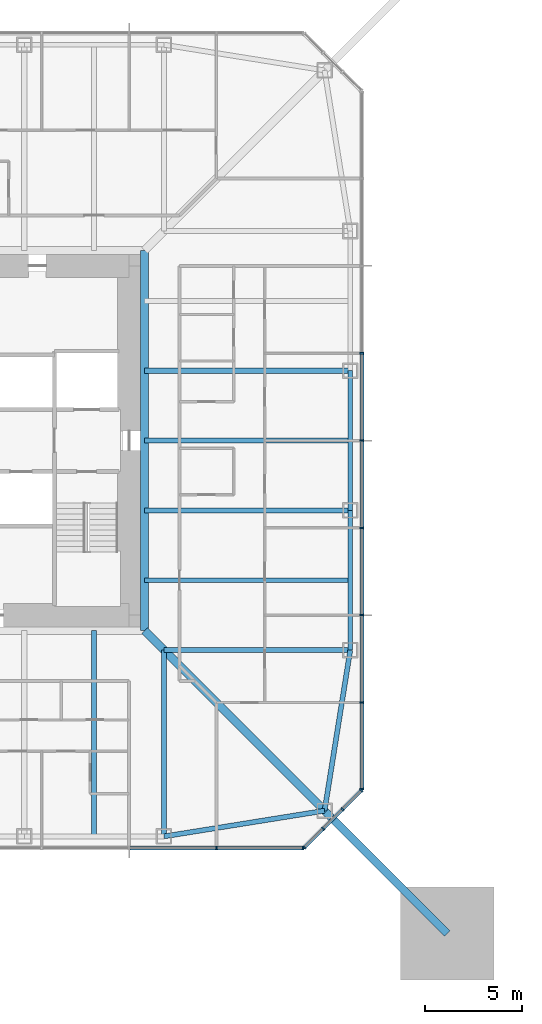
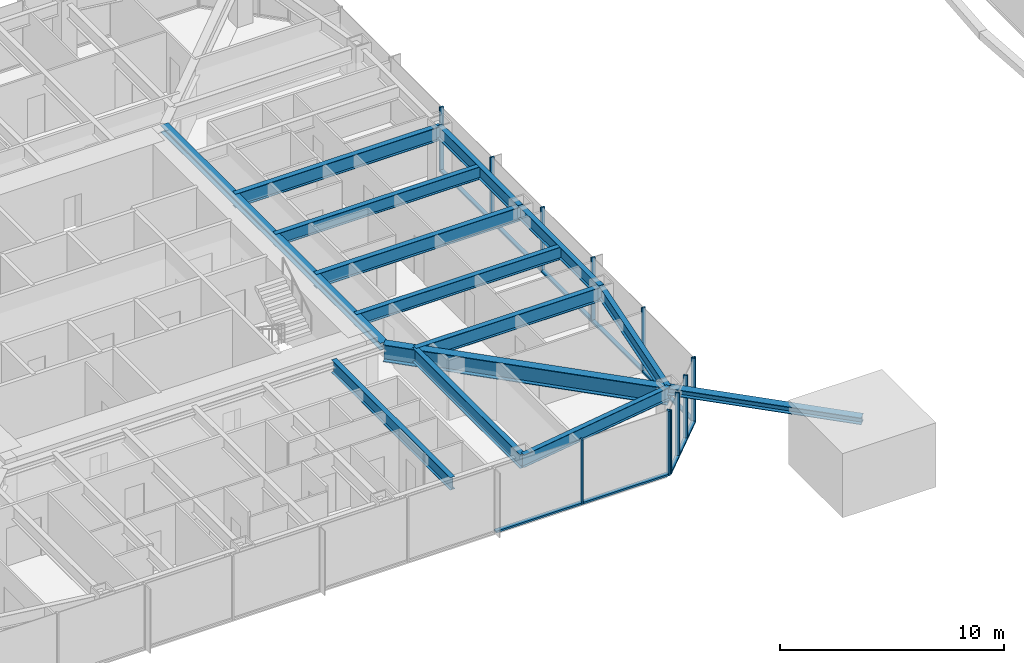
# One storey, part 5 of 25: 23 members, 13 beams, 3 elements without a shape of their own.
"""IFC4 building model written with IfcOpenShell, lengths in metres."""

from ifc_helpers import new_model, si_unit, direction, frame, origin, origin_2d, place, context, subcontext, project, spatial, rectangle, i_section, extrude, material, material_profile, profile_set, type_object, element, aggregate, save


model = new_model("IFC4")

# Units and contexts
model_context = context("Model", 3, precision=1e-05, world=origin(), true_north=direction((0.0, 1.0)))
body_context = subcontext(model_context, "Body", "Model", "MODEL_VIEW")
ifc_project = project(units=[si_unit("LENGTHUNIT", "METRE"), si_unit("AREAUNIT", "SQUARE_METRE"), si_unit("VOLUMEUNIT", "CUBIC_METRE"), si_unit("PLANEANGLEUNIT", "RADIAN"), si_unit("MASSUNIT", "GRAM", prefix="KILO")], contexts=[model_context])

# Site, building, storey
site_placement = place(None, origin())
site = spatial("IfcSite", under=ifc_project, at=site_placement, CompositionType="ELEMENT")
building_placement = place(site_placement, origin())
building = spatial("IfcBuilding", under=site, at=building_placement, Name="Iwan Alto Co-Living Towers", CompositionType="ELEMENT")
storey_placement = place(building_placement, frame((0.0, 0.0, 87.5)))
storey = spatial("IfcBuildingStorey", under=building, at=storey_placement, Name="L23", CompositionType="ELEMENT", Elevation=87.5)

# Curtain wall, members
ifc_material_1 = material(Name="Bronze aluminium unitised frame", Category="aluminium")
curtain_wall_type_1 = type_object("IfcCurtainWallType", Name="CURTAIN WALL CW-A", PredefinedType="NOTDEFINED", material=ifc_material_1)
curtain_wall_1_placement = place(storey_placement, origin())
curtain_wall_1 = element("IfcCurtainWall", 1, at=curtain_wall_1_placement, inside=storey, type_object=curtain_wall_type_1, Name="T1 curtain wall S L23", PredefinedType="NOTDEFINED")
ifc_material_2 = material(Name="Aluminium 6063-T6 bronze anodised", Category="aluminium")
ifc_material_profile_1 = material_profile(ifc_material_2, rectangle(XDim=0.199951171875, YDim=0.080078125, at=origin_2d()), Name="AL 80X200")
ifc_profile_set_1 = profile_set([ifc_material_profile_1], Name="Aluminium 6063-T6 bronze anodised")
member_type_1 = type_object("IfcMemberType", Name="CW-A MULLION 80X200", PredefinedType="MULLION", material=ifc_profile_set_1)
member_1_placement = place(storey_placement, frame((13.5, -21.0, 0.0), z_axis=(0.0, 0.0, 1.0), x_axis=(0.0, 1.0, 0.0)))
member_1 = element("IfcMember", 2, at=member_1_placement, type_object=member_type_1, Name="CW-A mullion 8", PredefinedType="MULLION", context=body_context, shape_type="SweptSolid", body=[
    extrude(rectangle(XDim=0.199951171875, YDim=0.080078125, at=origin_2d()), origin(), (0.0, 0.0, 1.0), 3.5),
])
member_2_placement = place(storey_placement, frame((17.9599609375, -21.0, 0.0), z_axis=(0.0, 0.0, 1.0), x_axis=(0.0, 1.0, 0.0)))
member_2 = element("IfcMember", 3, at=member_2_placement, type_object=member_type_1, Name="CW-A mullion 9", PredefinedType="MULLION", context=body_context, shape_type="SweptSolid", body=[
    extrude(rectangle(XDim=0.199951171875, YDim=0.080078125, at=origin_2d()), origin(), (0.0, 0.0, 1.0), 3.5),
])

curtain_wall_2_placement = place(storey_placement, origin())
curtain_wall_2 = element("IfcCurtainWall", 4, at=curtain_wall_2_placement, inside=storey, type_object=curtain_wall_type_1, Name="T1 curtain wall E L23", PredefinedType="NOTDEFINED")
member_3_placement = place(storey_placement, frame((21.0, -17.9599609375, 0.0), z_axis=(0.0, 0.0, 1.0), x_axis=(-1.0, 0.0, 0.0)))
member_3 = element("IfcMember", 5, at=member_3_placement, type_object=member_type_1, Name="CW-A mullion 1", PredefinedType="MULLION", context=body_context, shape_type="SweptSolid", body=[
    extrude(rectangle(XDim=0.199951171875, YDim=0.080078125, at=origin_2d()), origin(), (0.0, 0.0, 1.0), 3.5),
])
member_4_placement = place(storey_placement, frame((21.0, -13.5, 0.0), z_axis=(0.0, 0.0, 1.0), x_axis=(-1.0, 0.0, 0.0)))
member_4 = element("IfcMember", 6, at=member_4_placement, type_object=member_type_1, Name="CW-A mullion 2", PredefinedType="MULLION", context=body_context, shape_type="SweptSolid", body=[
    extrude(rectangle(XDim=0.199951171875, YDim=0.080078125, at=origin_2d()), origin(), (0.0, 0.0, 1.0), 3.5),
])
member_5_placement = place(storey_placement, frame((21.0, -9.0, 0.0), z_axis=(0.0, 0.0, 1.0), x_axis=(-1.0, 0.0, 0.0)))
member_5 = element("IfcMember", 7, at=member_5_placement, type_object=member_type_1, Name="CW-A mullion 3", PredefinedType="MULLION", context=body_context, shape_type="SweptSolid", body=[
    extrude(rectangle(XDim=0.199951171875, YDim=0.080078125, at=origin_2d()), origin(), (0.0, 0.0, 1.0), 3.5),
])
member_6_placement = place(storey_placement, frame((21.0, -4.5, 0.0), z_axis=(0.0, 0.0, 1.0), x_axis=(-1.0, 0.0, 0.0)))
member_6 = element("IfcMember", 8, at=member_6_placement, type_object=member_type_1, Name="CW-A mullion 4", PredefinedType="MULLION", context=body_context, shape_type="SweptSolid", body=[
    extrude(rectangle(XDim=0.199951171875, YDim=0.080078125, at=origin_2d()), origin(), (0.0, 0.0, 1.0), 3.5),
])
member_7_placement = place(storey_placement, frame((21.0, 0.0, 0.0), z_axis=(0.0, 0.0, 1.0), x_axis=(-1.0, 0.0, 0.0)))
member_7 = element("IfcMember", 9, at=member_7_placement, type_object=member_type_1, Name="CW-A mullion 5", PredefinedType="MULLION", context=body_context, shape_type="SweptSolid", body=[
    extrude(rectangle(XDim=0.199951171875, YDim=0.080078125, at=origin_2d()), origin(), (0.0, 0.0, 1.0), 3.5),
])
member_8_placement = place(storey_placement, frame((21.0, 4.5, 0.0), z_axis=(0.0, 0.0, 1.0), x_axis=(-1.0, 0.0, 0.0)))
member_8 = element("IfcMember", 10, at=member_8_placement, type_object=member_type_1, Name="CW-A mullion 6", PredefinedType="MULLION", context=body_context, shape_type="SweptSolid", body=[
    extrude(rectangle(XDim=0.199951171875, YDim=0.080078125, at=origin_2d()), origin(), (0.0, 0.0, 1.0), 3.5),
])

# Member
ifc_material_3 = material(Name="Aluminium 6063-T6 bronze anodised", Category="aluminium")
ifc_material_profile_2 = material_profile(ifc_material_3, rectangle(XDim=0.199951171875, YDim=0.10009765625, at=origin_2d()), Name="AL 200X100")
ifc_profile_set_2 = profile_set([ifc_material_profile_2], Name="Aluminium 6063-T6 bronze anodised")
member_type_2 = type_object("IfcMemberType", Name="CW-A TRANSOM 200X100", PredefinedType="USERDEFINED", material=ifc_profile_set_2)
member_9_placement = place(storey_placement, frame((9.0400390625, -21.0, 0.050048828125), z_axis=(1.0, 0.0, 0.0), x_axis=(0.0, 1.0, 0.0)))
member_9 = element("IfcMember", 11, at=member_9_placement, type_object=member_type_2, Name="CW-A transom 7.1", ObjectType="TRANSOM", PredefinedType="USERDEFINED", context=body_context, shape_type="SweptSolid", body=[
    extrude(rectangle(XDim=0.199951171875, YDim=0.10009765625, at=origin_2d()), origin(), (0.0, 0.0, 1.0), 4.419921875),
])

member_10_placement = place(storey_placement, frame((13.5400390625, -21.0, 0.050048828125), z_axis=(1.0, 0.0, 0.0), x_axis=(0.0, 1.0, 0.0)))
member_10 = element("IfcMember", 12, at=member_10_placement, type_object=member_type_2, Name="CW-A transom 8.1", ObjectType="TRANSOM", PredefinedType="USERDEFINED", context=body_context, shape_type="SweptSolid", body=[
    extrude(rectangle(XDim=0.199951171875, YDim=0.10009765625, at=origin_2d()), origin(), (0.0, 0.0, 1.0), 4.3798828125),
])

aggregate(curtain_wall_1, [member_1, member_2, member_9, member_10])

member_11_placement = place(storey_placement, frame((21.0, -17.919921875, 0.050048828125), z_axis=(0.0, 1.0, 0.0), x_axis=(-1.0, 0.0, 0.0)))
member_11 = element("IfcMember", 13, at=member_11_placement, type_object=member_type_2, Name="CW-A transom 1.1", ObjectType="TRANSOM", PredefinedType="USERDEFINED", context=body_context, shape_type="SweptSolid", body=[
    extrude(rectangle(XDim=0.199951171875, YDim=0.10009765625, at=origin_2d()), origin(), (0.0, 0.0, 1.0), 4.3798828125),
])

member_12_placement = place(storey_placement, frame((21.0, -13.4599609375, 0.050048828125), z_axis=(0.0, 1.0, 0.0), x_axis=(-1.0, 0.0, 0.0)))
member_12 = element("IfcMember", 14, at=member_12_placement, type_object=member_type_2, Name="CW-A transom 2.1", ObjectType="TRANSOM", PredefinedType="USERDEFINED", context=body_context, shape_type="SweptSolid", body=[
    extrude(rectangle(XDim=0.199951171875, YDim=0.10009765625, at=origin_2d()), origin(), (0.0, 0.0, 1.0), 4.419921875),
])

member_13_placement = place(storey_placement, frame((21.0, -8.9599609375, 0.050048828125), z_axis=(0.0, 1.0, 0.0), x_axis=(-1.0, 0.0, 0.0)))
member_13 = element("IfcMember", 15, at=member_13_placement, type_object=member_type_2, Name="CW-A transom 3.1", ObjectType="TRANSOM", PredefinedType="USERDEFINED", context=body_context, shape_type="SweptSolid", body=[
    extrude(rectangle(XDim=0.199951171875, YDim=0.10009765625, at=origin_2d()), origin(), (0.0, 0.0, 1.0), 4.419921875),
])

member_14_placement = place(storey_placement, frame((21.0, -4.4599609375, 0.050048828125), z_axis=(0.0, 1.0, 0.0), x_axis=(-1.0, 0.0, 0.0)))
member_14 = element("IfcMember", 16, at=member_14_placement, type_object=member_type_2, Name="CW-A transom 4.1", ObjectType="TRANSOM", PredefinedType="USERDEFINED", context=body_context, shape_type="SweptSolid", body=[
    extrude(rectangle(XDim=0.199951171875, YDim=0.10009765625, at=origin_2d()), origin(), (0.0, 0.0, 1.0), 4.419921875),
])

member_15_placement = place(storey_placement, frame((21.0, 0.0400390625, 0.050048828125), z_axis=(0.0, 1.0, 0.0), x_axis=(-1.0, 0.0, 0.0)))
member_15 = element("IfcMember", 17, at=member_15_placement, type_object=member_type_2, Name="CW-A transom 5.1", ObjectType="TRANSOM", PredefinedType="USERDEFINED", context=body_context, shape_type="SweptSolid", body=[
    extrude(rectangle(XDim=0.199951171875, YDim=0.10009765625, at=origin_2d()), origin(), (0.0, 0.0, 1.0), 4.419921875),
])

aggregate(curtain_wall_2, [member_3, member_4, member_5, member_6, member_7, member_8, member_11, member_12, member_13, member_14, member_15])

# Curtain wall, members
ifc_material_4 = material(Name="Bronze aluminium unitised frame", Category="aluminium")
curtain_wall_type_2 = type_object("IfcCurtainWallType", Name="CURTAIN WALL CW-B", PredefinedType="NOTDEFINED", material=ifc_material_4)
curtain_wall_3_placement = place(storey_placement, origin())
curtain_wall_3 = element("IfcCurtainWall", 18, at=curtain_wall_3_placement, inside=storey, type_object=curtain_wall_type_2, Name="T1 chamfer curtain wall SE L23", PredefinedType="NOTDEFINED")
ifc_material_5 = material(Name="Aluminium 6063-T6 bronze anodised", Category="aluminium")
ifc_material_profile_3 = material_profile(ifc_material_5, rectangle(XDim=0.199951171875, YDim=0.080078125, at=origin_2d()), Name="AL 80X200")
ifc_profile_set_3 = profile_set([ifc_material_profile_3], Name="Aluminium 6063-T6 bronze anodised")
member_type_3 = type_object("IfcMemberType", Name="CW-B MULLION 80X200", PredefinedType="MULLION", material=ifc_profile_set_3)
member_16_placement = place(storey_placement, frame((18.0283203125, -20.9716796875, 0.0), z_axis=(0.0, 0.0, 1.0), x_axis=(-0.707106781187, 0.707106781187, 0.0)))
member_16 = element("IfcMember", 19, at=member_16_placement, type_object=member_type_3, Name="CW-B mullion 1", PredefinedType="MULLION", context=body_context, shape_type="SweptSolid", body=[
    extrude(rectangle(XDim=0.199951171875, YDim=0.080078125, at=origin_2d()), origin(), (0.0, 0.0, 1.0), 3.5),
])
member_17_placement = place(storey_placement, frame((19.0, -20.0, 0.0), z_axis=(0.0, 0.0, 1.0), x_axis=(-0.707106781187, 0.707106781187, 0.0)))
member_17 = element("IfcMember", 20, at=member_17_placement, type_object=member_type_3, Name="CW-B mullion 2", PredefinedType="MULLION", context=body_context, shape_type="SweptSolid", body=[
    extrude(rectangle(XDim=0.199951171875, YDim=0.080078125, at=origin_2d()), origin(), (0.0, 0.0, 1.0), 3.5),
])
member_18_placement = place(storey_placement, frame((20.0, -19.0, 0.0), z_axis=(0.0, 0.0, 1.0), x_axis=(-0.707106781187, 0.707106781187, 0.0)))
member_18 = element("IfcMember", 21, at=member_18_placement, type_object=member_type_3, Name="CW-B mullion 3", PredefinedType="MULLION", context=body_context, shape_type="SweptSolid", body=[
    extrude(rectangle(XDim=0.199951171875, YDim=0.080078125, at=origin_2d()), origin(), (0.0, 0.0, 1.0), 3.5),
])
member_19_placement = place(storey_placement, frame((20.9716796875, -18.0283203125, 0.0), z_axis=(0.0, 0.0, 1.0), x_axis=(-0.707106781187, 0.707106781187, 0.0)))
member_19 = element("IfcMember", 22, at=member_19_placement, type_object=member_type_3, Name="CW-B mullion 4", PredefinedType="MULLION", context=body_context, shape_type="SweptSolid", body=[
    extrude(rectangle(XDim=0.199951171875, YDim=0.080078125, at=origin_2d()), origin(), (0.0, 0.0, 1.0), 3.5),
])
ifc_material_6 = material(Name="Aluminium 6063-T6 bronze anodised", Category="aluminium")
ifc_material_profile_4 = material_profile(ifc_material_6, rectangle(XDim=0.199951171875, YDim=0.10009765625, at=origin_2d()), Name="AL 200X100")
ifc_profile_set_4 = profile_set([ifc_material_profile_4], Name="Aluminium 6063-T6 bronze anodised")
member_type_4 = type_object("IfcMemberType", Name="CW-B TRANSOM 200X100", PredefinedType="USERDEFINED", material=ifc_profile_set_4)
member_20_placement = place(storey_placement, frame((18.056640625, -20.943359375, 0.050048828125), z_axis=(0.707106781187, 0.707106781187, 0.0), x_axis=(-0.707106781187, 0.707106781187, 0.0)))
member_20 = element("IfcMember", 23, at=member_20_placement, type_object=member_type_4, Name="CW-B transom 1.1", ObjectType="TRANSOM", PredefinedType="USERDEFINED", context=body_context, shape_type="SweptSolid", body=[
    extrude(rectangle(XDim=0.199951171875, YDim=0.10009765625, at=origin_2d()), origin(), (0.0, 0.0, 1.0), 1.2939453125),
])
member_21_placement = place(storey_placement, frame((19.0283203125, -19.9716796875, 0.050048828125), z_axis=(0.707106781187, 0.707106781187, 0.0), x_axis=(-0.707106781187, 0.707106781187, 0.0)))
member_21 = element("IfcMember", 24, at=member_21_placement, type_object=member_type_4, Name="CW-B transom 2.1", ObjectType="TRANSOM", PredefinedType="USERDEFINED", context=body_context, shape_type="SweptSolid", body=[
    extrude(rectangle(XDim=0.199951171875, YDim=0.10009765625, at=origin_2d()), origin(), (0.0, 0.0, 1.0), 1.334228515625),
])
member_22_placement = place(storey_placement, frame((20.0283203125, -18.9716796875, 0.050048828125), z_axis=(0.707106781187, 0.707106781187, 0.0), x_axis=(-0.707106781187, 0.707106781187, 0.0)))
member_22 = element("IfcMember", 25, at=member_22_placement, type_object=member_type_4, Name="CW-B transom 3.1", ObjectType="TRANSOM", PredefinedType="USERDEFINED", context=body_context, shape_type="SweptSolid", body=[
    extrude(rectangle(XDim=0.199951171875, YDim=0.10009765625, at=origin_2d()), origin(), (0.0, 0.0, 1.0), 1.2939453125),
])
aggregate(curtain_wall_3, [member_16, member_17, member_18, member_19, member_20, member_21, member_22])

# Beams
ifc_material_7 = material(Name="Steel ASTM A992 Gr 50", Category="steel")
ifc_material_profile_5 = material_profile(ifc_material_7, i_section(OverallWidth=0.398681640625, OverallDepth=0.385986328125, WebThickness=0.02099609375, FlangeThickness=0.033203125, at=origin_2d()), Name="W14X176")
ifc_profile_set_5 = profile_set([ifc_material_profile_5], Name="Steel ASTM A992 Gr 50")
beam_type_1 = type_object("IfcBeamType", Name="T1 CORE LEDGER BEAM W14X176", PredefinedType="BEAM", material=ifc_profile_set_5)
beam_1_placement = place(storey_placement, frame((9.79931640625, -9.79931640625, 3.076904296875), z_axis=(0.0, 1.0, 0.0), x_axis=(-1.0, 0.0, 0.0)))
element("IfcBeam", 26, at=beam_1_placement, inside=storey, type_object=beam_type_1, Name="T1 core ledger beam E L24", PredefinedType="BEAM", context=body_context, shape_type="SweptSolid", body=[
    extrude(i_section(OverallWidth=0.398681640625, OverallDepth=0.385986328125, WebThickness=0.02099609375, FlangeThickness=0.033203125, at=origin_2d()), origin(), (0.0, 0.0, 1.0), 19.5986328125),
])
ifc_material_8 = material(Name="Steel ASTM A992 Gr 50", Category="steel")
ifc_material_profile_6 = material_profile(ifc_material_8, i_section(OverallWidth=0.419189453125, OverallDepth=0.927001953125, WebThickness=0.019287109375, FlangeThickness=0.031982421875, at=origin_2d()), Name="W36X231")
ifc_profile_set_6 = profile_set([ifc_material_profile_6], Name="Steel ASTM A992 Gr 50")
beam_type_2 = type_object("IfcBeamType", Name="T1 CORNER GIRDER W36X231", PredefinedType="BEAM", material=ifc_profile_set_6)
beam_2_placement = place(storey_placement, frame((19.07568359375, -19.07568359375, 2.806396484375), z_axis=(-0.707106781187, 0.707106781187, 0.0), x_axis=(-0.707106781187, -0.707106781187, 0.0)))
element("IfcBeam", 27, at=beam_2_placement, inside=storey, type_object=beam_type_2, Name="T1 corner girder CSE L24", PredefinedType="BEAM", context=body_context, shape_type="SweptSolid", body=[
    extrude(i_section(OverallWidth=0.419189453125, OverallDepth=0.927001953125, WebThickness=0.019287109375, FlangeThickness=0.031982421875, at=origin_2d()), origin(), (0.0, 0.0, 1.0), 13.11865234375),
])
ifc_material_9 = material(Name="Steel ASTM A992 Gr 50", Category="steel")
ifc_material_profile_7 = material_profile(ifc_material_9, i_section(OverallWidth=0.25390625, OverallDepth=0.683349609375, WebThickness=0.012451171875, FlangeThickness=0.018798828125, at=origin_2d()), Name="W27X94")
ifc_profile_set_7 = profile_set([ifc_material_profile_7], Name="Steel ASTM A992 Gr 50")
beam_type_3 = type_object("IfcBeamType", Name="T1 EDGE BEAM W27X94", PredefinedType="BEAM", material=ifc_profile_set_7)
for number, where, z_axis, x_axis, name in (
    (28, (10.800048828125, -20.39990234375, 2.928466796875), (0.987438450439, 0.158004134737, 0.0), (-0.158004134737, 0.987438450439, 0.0), "T1 edge beam S4 L24"),
    (29, (19.07568359375, -19.07568359375, 2.928466796875), (0.158004134737, 0.987438450439, 0.0), (-0.987438450439, 0.158004134737, 0.0), "T1 edge beam CSE L24"),
):
    element("IfcBeam", number, at=place(storey_placement, frame(where, z_axis=z_axis, x_axis=x_axis)), inside=storey, type_object=beam_type_3, Name=name, PredefinedType="BEAM", context=body_context, shape_type="SweptSolid", body=[
        extrude(i_section(OverallWidth=0.25390625, OverallDepth=0.683349609375, WebThickness=0.012451171875, FlangeThickness=0.018798828125, at=origin_2d()), origin(), (0.0, 0.0, 1.0), 8.380859375),
    ])
beam_3_placement = place(storey_placement, frame((20.39990234375, -10.800048828125, 2.928466796875), z_axis=(0.0, 1.0, 0.0), x_axis=(-1.0, 0.0, 0.0)))
element("IfcBeam", 30, at=beam_3_placement, inside=storey, type_object=beam_type_3, Name="T1 edge beam E1 L24", PredefinedType="BEAM", context=body_context, shape_type="SweptSolid", body=[
    extrude(i_section(OverallWidth=0.25390625, OverallDepth=0.683349609375, WebThickness=0.012451171875, FlangeThickness=0.018798828125, at=origin_2d()), origin(), (0.0, 0.0, 1.0), 7.199951171875),
])
beam_4_placement = place(storey_placement, frame((20.39990234375, -3.60009765625, 2.928466796875), z_axis=(0.0, 1.0, 0.0), x_axis=(-1.0, 0.0, 0.0)))
element("IfcBeam", 31, at=beam_4_placement, inside=storey, type_object=beam_type_3, Name="T1 edge beam E2 L24", PredefinedType="BEAM", context=body_context, shape_type="SweptSolid", body=[
    extrude(i_section(OverallWidth=0.25390625, OverallDepth=0.683349609375, WebThickness=0.012451171875, FlangeThickness=0.018798828125, at=origin_2d()), origin(), (0.0, 0.0, 1.0), 7.2001953125),
])

# Member
ifc_material_10 = material(Name="Steel ASTM A992 Gr 50", Category="steel")
ifc_material_profile_8 = material_profile(ifc_material_10, i_section(OverallWidth=0.393798828125, OverallDepth=0.3759765625, WebThickness=0.017333984375, FlangeThickness=0.027587890625, at=origin_2d()), Name="W14X145")
ifc_profile_set_8 = profile_set([ifc_material_profile_8], Name="Steel ASTM A992 Gr 50")
member_type_5 = type_object("IfcMemberType", Name="T1 MEGA COLUMN FLOOR TIE W14X145", PredefinedType="STRUT", material=ifc_profile_set_8)
member_23_placement = place(storey_placement, frame((25.39990234375, -25.39990234375, 3.08203125), z_axis=(-0.707106781187, 0.707106781187, 0.0), x_axis=(-0.707106781187, -0.707106781187, 0.0)))
element("IfcMember", 32, at=member_23_placement, inside=storey, type_object=member_type_5, Name="T1 mega column floor tie SE L24", PredefinedType="STRUT", context=body_context, shape_type="SweptSolid", body=[
    extrude(i_section(OverallWidth=0.393798828125, OverallDepth=0.3759765625, WebThickness=0.017333984375, FlangeThickness=0.027587890625, at=origin_2d()), origin(), (0.0, 0.0, 1.0), 8.94384765625),
])

# Beams
ifc_material_11 = material(Name="Steel ASTM A992 Gr 50", Category="steel")
ifc_material_profile_9 = material_profile(ifc_material_11, i_section(OverallWidth=0.2666015625, OverallDepth=0.761962890625, WebThickness=0.014404296875, FlangeThickness=0.021484375, at=origin_2d()), Name="W30X116")
ifc_profile_set_9 = profile_set([ifc_material_profile_9], Name="Steel ASTM A992 Gr 50")
beam_type_4 = type_object("IfcBeamType", Name="T1 RADIAL BEAM W30X116", PredefinedType="BEAM", material=ifc_profile_set_9)
for number, where, z_axis, x_axis, name in (
    (33, (10.800048828125, -20.39990234375, 2.888916015625), (0.0, 1.0, 0.0), (-1.0, 0.0, 0.0), "T1 radial beam S4 L24"),
    (34, (20.39990234375, -10.800048828125, 2.888916015625), (-1.0, 0.0, 0.0), (0.0, -1.0, 0.0), "T1 radial beam E1 L24"),
):
    element("IfcBeam", number, at=place(storey_placement, frame(where, z_axis=z_axis, x_axis=x_axis)), inside=storey, type_object=beam_type_4, Name=name, PredefinedType="BEAM", context=body_context, shape_type="SweptSolid", body=[
        extrude(i_section(OverallWidth=0.2666015625, OverallDepth=0.761962890625, WebThickness=0.014404296875, FlangeThickness=0.021484375, at=origin_2d()), origin(), (0.0, 0.0, 1.0), 9.599853515625),
    ])
for number, where, z_axis, x_axis, name in (
    (35, (20.39990234375, -3.60009765625, 2.888916015625), (-1.0, 0.0, 0.0), (0.0, -1.0, 0.0), "T1 radial beam E2 L24"),
    (36, (20.39990234375, 3.60009765625, 2.888916015625), (-1.0, 0.0, 0.0), (0.0, -1.0, 0.0), "T1 radial beam E3 L24"),
):
    element("IfcBeam", number, at=place(storey_placement, frame(where, z_axis=z_axis, x_axis=x_axis)), inside=storey, type_object=beam_type_4, Name=name, PredefinedType="BEAM", context=body_context, shape_type="SweptSolid", body=[
        extrude(i_section(OverallWidth=0.2666015625, OverallDepth=0.761962890625, WebThickness=0.014404296875, FlangeThickness=0.021484375, at=origin_2d()), origin(), (0.0, 0.0, 1.0), 10.6005859375),
    ])
ifc_material_12 = material(Name="Steel ASTM A992 Gr 50", Category="steel")
ifc_material_profile_10 = material_profile(ifc_material_12, i_section(OverallWidth=0.25390625, OverallDepth=0.683349609375, WebThickness=0.012451171875, FlangeThickness=0.018798828125, at=origin_2d()), Name="W27X94")
ifc_profile_set_10 = profile_set([ifc_material_profile_10], Name="Steel ASTM A992 Gr 50")
beam_type_5 = type_object("IfcBeamType", Name="T1 SECONDARY BEAM W27X94", PredefinedType="JOIST", material=ifc_profile_set_10)
for number, where, z_axis, x_axis, name in (
    (37, (7.199951171875, -20.39990234375, 2.928466796875), (0.0, 1.0, 0.0), (-1.0, 0.0, 0.0), "T1 secondary beam S3 L24"),
    (38, (20.39990234375, -7.199951171875, 2.928466796875), (-1.0, 0.0, 0.0), (0.0, -1.0, 0.0), "T1 secondary beam E1 L24"),
    (39, (20.39990234375, 0.0, 2.928466796875), (-1.0, 0.0, 0.0), (0.0, -1.0, 0.0), "T1 secondary beam E2 L24"),
):
    element("IfcBeam", number, at=place(storey_placement, frame(where, z_axis=z_axis, x_axis=x_axis)), inside=storey, type_object=beam_type_5, Name=name, PredefinedType="JOIST", context=body_context, shape_type="SweptSolid", body=[
        extrude(i_section(OverallWidth=0.25390625, OverallDepth=0.683349609375, WebThickness=0.012451171875, FlangeThickness=0.018798828125, at=origin_2d()), origin(), (0.0, 0.0, 1.0), 10.6005859375),
    ])

save(model, "model.ifc")
